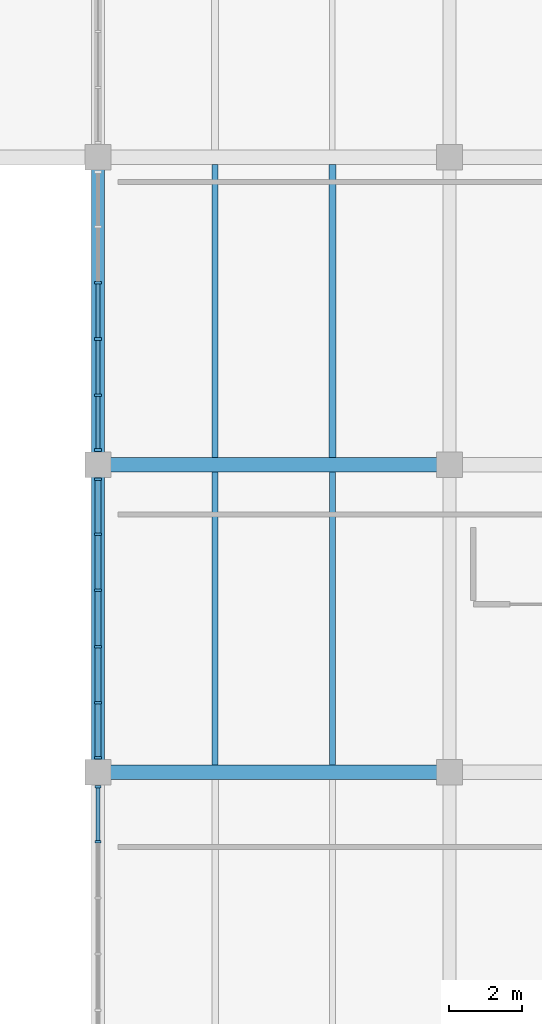
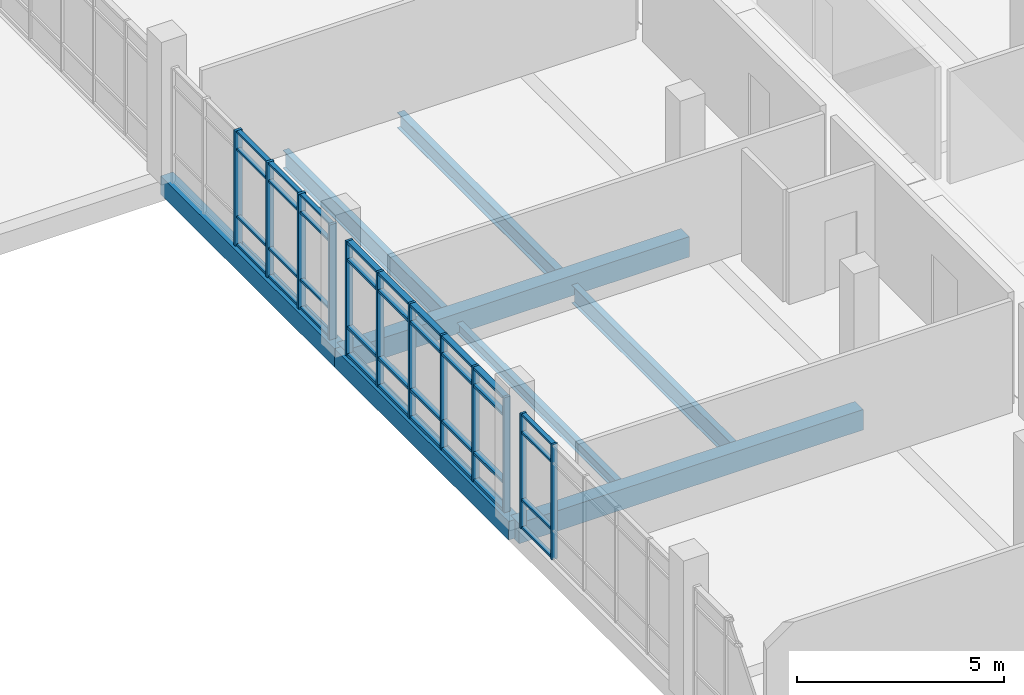
# One storey, part 15 of 57: 48 members, 8 beams, 3 elements without a shape of their own.
"""IFC4 building model written with IfcOpenShell, lengths in metres."""

from ifc_helpers import new_model, si_unit, direction, frame, origin, origin_2d, place, context, subcontext, project, spatial, rectangle, i_section, extrude, material, material_profile, profile_set, type_object, element, aggregate, save


model = new_model("IFC4")

# Units and contexts
model_context = context("Model", 3, precision=1e-05, world=origin(), true_north=direction((0.0, 1.0)))
body_context = subcontext(model_context, "Body", "Model", "MODEL_VIEW")
ifc_project = project(units=[si_unit("LENGTHUNIT", "METRE"), si_unit("AREAUNIT", "SQUARE_METRE"), si_unit("VOLUMEUNIT", "CUBIC_METRE"), si_unit("PLANEANGLEUNIT", "RADIAN"), si_unit("MASSUNIT", "GRAM", prefix="KILO")], contexts=[model_context])

# Site, building, storey
site_placement = place(None, origin())
site = spatial("IfcSite", under=ifc_project, at=site_placement, CompositionType="ELEMENT")
building_placement = place(site_placement, origin())
building = spatial("IfcBuilding", under=site, at=building_placement, Name="Oolite Switchyard Hospital", CompositionType="ELEMENT")
storey_placement = place(building_placement, frame((0.0, 0.0, 17.800048828125)))
storey = spatial("IfcBuildingStorey", under=building, at=storey_placement, Name="L04", CompositionType="ELEMENT", Elevation=17.800048828125)

# Beams
ifc_material_1 = material(Name="Concrete C40/50", Category="concrete")
ifc_material_profile_1 = material_profile(ifc_material_1, rectangle(XDim=0.35009765625, YDim=0.550048828125, at=origin_2d()), Name="RCB350X550")
ifc_profile_set_1 = profile_set([ifc_material_profile_1], Name="Concrete C40/50")
beam_type_1 = type_object("IfcBeamType", Name="BM-RC350X550", PredefinedType="BEAM", material=ifc_profile_set_1)
beam_1_placement = place(storey_placement, frame((182.39990234375, 42.0, -0.275146484375), z_axis=(0.0, 1.0, 0.0), x_axis=(-1.0, 0.0, 0.0)))
element("IfcBeam", 1, at=beam_1_placement, inside=storey, type_object=beam_type_1, Name="L04 Y-Girder 3043", PredefinedType="BEAM", context=body_context, shape_type="SweptSolid", body=[
    extrude(rectangle(XDim=0.35009765625, YDim=0.550048828125, at=origin_2d()), origin(), (0.0, 0.0, 1.0), 8.39990234375),
])
beam_2_placement = place(storey_placement, frame((182.39990234375, 50.39990234375, -0.275146484375), z_axis=(0.0, 1.0, 0.0), x_axis=(-1.0, 0.0, 0.0)))
element("IfcBeam", 2, at=beam_2_placement, inside=storey, type_object=beam_type_1, Name="L04 Y-Girder 3044", PredefinedType="BEAM", context=body_context, shape_type="SweptSolid", body=[
    extrude(rectangle(XDim=0.35009765625, YDim=0.550048828125, at=origin_2d()), origin(), (0.0, 0.0, 1.0), 8.400146484375),
])
ifc_material_profile_2 = material_profile(ifc_material_1, rectangle(XDim=0.39990234375, YDim=0.60009765625, at=origin_2d()), Name="RCB400X600")
ifc_profile_set_2 = profile_set([ifc_material_profile_2], Name="Concrete C40/50")
beam_type_2 = type_object("IfcBeamType", Name="BM-RC400X600", PredefinedType="BEAM", material=ifc_profile_set_2)
for number, where, z_axis, x_axis, name in (
    (3, (182.39990234375, 42.0, -0.300048828125), (1.0, 0.0, 0.0), (0.0, 1.0, 0.0), "L04 X-Girder 2789"),
    (4, (182.39990234375, 50.39990234375, -0.300048828125), (1.0, 0.0, 0.0), (0.0, 1.0, 0.0), "L04 X-Girder 2796"),
):
    element("IfcBeam", number, at=place(storey_placement, frame(where, z_axis=z_axis, x_axis=x_axis)), inside=storey, type_object=beam_type_2, Name=name, PredefinedType="BEAM", context=body_context, shape_type="SweptSolid", body=[
        extrude(rectangle(XDim=0.39990234375, YDim=0.60009765625, at=origin_2d()), origin(), (0.0, 0.0, 1.0), 9.60009765625),
    ])
ifc_material_2 = material(Name="Steel ASTM A992 Grade 50", Category="steel")
ifc_material_profile_3 = material_profile(ifc_material_2, i_section(OverallWidth=0.1650390625, OverallDepth=0.31005859375, WebThickness=0.006103515625, FlangeThickness=0.010009765625, at=origin_2d()), Name="W12X26")
ifc_profile_set_3 = profile_set([ifc_material_profile_3], Name="Steel ASTM A992 Grade 50")
beam_type_3 = type_object("IfcBeamType", Name="BM-W12X26", PredefinedType="JOIST", material=ifc_profile_set_3)
beam_3_placement = place(storey_placement, frame((185.60009765625, 42.199951171875, -0.429931640625), z_axis=(0.0, 1.0, 0.0), x_axis=(-1.0, 0.0, 0.0)))
element("IfcBeam", 5, at=beam_3_placement, inside=storey, type_object=beam_type_3, Name="L04 Secondary Steel Joist 3277", PredefinedType="JOIST", context=body_context, shape_type="SweptSolid", body=[
    extrude(i_section(OverallWidth=0.1650390625, OverallDepth=0.31005859375, WebThickness=0.006103515625, FlangeThickness=0.010009765625, at=origin_2d()), origin(), (0.0, 0.0, 1.0), 8.0),
])
ifc_material_profile_4 = material_profile(ifc_material_2, i_section(OverallWidth=0.19091796875, OverallDepth=0.4599609375, WebThickness=0.010009765625, FlangeThickness=0.01611328125, at=origin_2d()), Name="W18X55")
ifc_profile_set_4 = profile_set([ifc_material_profile_4], Name="Steel ASTM A992 Grade 50")
beam_type_4 = type_object("IfcBeamType", Name="BM-W18X55", PredefinedType="JOIST", material=ifc_profile_set_4)
beam_4_placement = place(storey_placement, frame((188.800048828125, 50.60009765625, -0.505126953125), z_axis=(0.0, 1.0, 0.0), x_axis=(-1.0, 0.0, 0.0)))
element("IfcBeam", 6, at=beam_4_placement, inside=storey, type_object=beam_type_4, Name="L04 Secondary Steel Joist 3280", PredefinedType="JOIST", context=body_context, shape_type="SweptSolid", body=[
    extrude(i_section(OverallWidth=0.19091796875, OverallDepth=0.4599609375, WebThickness=0.010009765625, FlangeThickness=0.01611328125, at=origin_2d()), origin(), (0.0, 0.0, 1.0), 8.0),
])
ifc_material_profile_5 = material_profile(ifc_material_2, i_section(OverallWidth=0.166015625, OverallDepth=0.529052734375, WebThickness=0.010009765625, FlangeThickness=0.013916015625, at=origin_2d()), Name="W21X50")
ifc_profile_set_5 = profile_set([ifc_material_profile_5], Name="Steel ASTM A992 Grade 50")
beam_type_5 = type_object("IfcBeamType", Name="BM-W21X50", PredefinedType="JOIST", material=ifc_profile_set_5)
for number, where, z_axis, x_axis, name in (
    (7, (188.800048828125, 42.199951171875, -0.5400390625), (0.0, 1.0, 0.0), (-1.0, 0.0, 0.0), "L04 Secondary Steel Joist 3278"),
    (8, (185.60009765625, 50.60009765625, -0.5400390625), (0.0, 1.0, 0.0), (-1.0, 0.0, 0.0), "L04 Secondary Steel Joist 3279"),
):
    element("IfcBeam", number, at=place(storey_placement, frame(where, z_axis=z_axis, x_axis=x_axis)), inside=storey, type_object=beam_type_5, Name=name, PredefinedType="JOIST", context=body_context, shape_type="SweptSolid", body=[
        extrude(i_section(OverallWidth=0.166015625, OverallDepth=0.529052734375, WebThickness=0.010009765625, FlangeThickness=0.013916015625, at=origin_2d()), origin(), (0.0, 0.0, 1.0), 8.0),
    ])

# Curtain wall, members
ifc_material_3 = material(Name="Thermally broken aluminum frame with laminated impact glazing", Category="aluminium")
curtain_wall_type = type_object("IfcCurtainWallType", Name="CW-UNIT-84X42", PredefinedType="USERDEFINED", material=ifc_material_3)
curtain_wall_1_placement = place(storey_placement, origin())
curtain_wall_1 = element("IfcCurtainWall", 9, at=curtain_wall_1_placement, inside=storey, type_object=curtain_wall_type, Name="L04 Unitised Curtain Wall 374", ObjectType="UNITISED", PredefinedType="USERDEFINED")
ifc_material_4 = material(Name="Aluminium 6063-T6", Category="aluminium")
ifc_material_profile_6 = material_profile(ifc_material_4, rectangle(XDim=0.159912109375, YDim=0.06005859375, at=origin_2d()), Name="CWM60X160")
ifc_profile_set_6 = profile_set([ifc_material_profile_6], Name="Aluminium 6063-T6")
member_type_1 = type_object("IfcMemberType", Name="CW-MUL-180", PredefinedType="MULLION", material=ifc_profile_set_6)
member_1_placement = place(storey_placement, frame((182.39990234375, 40.10107421875, 0.0), z_axis=(0.0, 0.0, 1.0), x_axis=(-1.0, 0.0, 0.0)))
member_1 = element("IfcMember", 10, at=member_1_placement, type_object=member_type_1, Name="CW-10 mullion 5", PredefinedType="MULLION", context=body_context, shape_type="SweptSolid", body=[
    extrude(rectangle(XDim=0.159912109375, YDim=0.06005859375, at=origin_2d()), origin(), (0.0, 0.0, 1.0), 3.389892578125),
])
member_2_placement = place(storey_placement, frame((182.39990234375, 41.60498046875, 0.0), z_axis=(0.0, 0.0, 1.0), x_axis=(-1.0, 0.0, 0.0)))
member_2 = element("IfcMember", 11, at=member_2_placement, type_object=member_type_1, Name="CW-10 mullion 6", PredefinedType="MULLION", context=body_context, shape_type="SweptSolid", body=[
    extrude(rectangle(XDim=0.159912109375, YDim=0.06005859375, at=origin_2d()), origin(), (0.0, 0.0, 1.0), 3.389892578125),
])

curtain_wall_2_placement = place(storey_placement, origin())
curtain_wall_2 = element("IfcCurtainWall", 12, at=curtain_wall_2_placement, inside=storey, type_object=curtain_wall_type, Name="L04 Unitised Curtain Wall 375", ObjectType="UNITISED", PredefinedType="USERDEFINED")
ifc_material_profile_7 = material_profile(ifc_material_4, rectangle(XDim=0.179931640625, YDim=0.070068359375, at=origin_2d()), Name="CWM70X180")
ifc_profile_set_7 = profile_set([ifc_material_profile_7], Name="Aluminium 6063-T6")
member_type_2 = type_object("IfcMemberType", Name="CW-MUL-220", PredefinedType="MULLION", material=ifc_profile_set_7)
member_3_placement = place(storey_placement, frame((182.39990234375, 42.39990234375, 0.0), z_axis=(0.0, 0.0, 1.0), x_axis=(-1.0, 0.0, 0.0)))
member_3 = element("IfcMember", 13, at=member_3_placement, type_object=member_type_2, Name="CW-10 mullion 1", PredefinedType="MULLION", context=body_context, shape_type="SweptSolid", body=[
    extrude(rectangle(XDim=0.179931640625, YDim=0.070068359375, at=origin_2d()), origin(), (0.0, 0.0, 1.0), 3.389892578125),
])
member_4_placement = place(storey_placement, frame((182.39990234375, 43.89892578125, 0.0), z_axis=(0.0, 0.0, 1.0), x_axis=(-1.0, 0.0, 0.0)))
member_4 = element("IfcMember", 14, at=member_4_placement, type_object=member_type_2, Name="CW-10 mullion 2", PredefinedType="MULLION", context=body_context, shape_type="SweptSolid", body=[
    extrude(rectangle(XDim=0.179931640625, YDim=0.070068359375, at=origin_2d()), origin(), (0.0, 0.0, 1.0), 3.389892578125),
])
member_5_placement = place(storey_placement, frame((182.39990234375, 45.43310546875, 0.0), z_axis=(0.0, 0.0, 1.0), x_axis=(-1.0, 0.0, 0.0)))
member_5 = element("IfcMember", 15, at=member_5_placement, type_object=member_type_2, Name="CW-10 mullion 3", PredefinedType="MULLION", context=body_context, shape_type="SweptSolid", body=[
    extrude(rectangle(XDim=0.179931640625, YDim=0.070068359375, at=origin_2d()), origin(), (0.0, 0.0, 1.0), 3.389892578125),
])
member_6_placement = place(storey_placement, frame((182.39990234375, 46.967041015625, 0.0), z_axis=(0.0, 0.0, 1.0), x_axis=(-1.0, 0.0, 0.0)))
member_6 = element("IfcMember", 16, at=member_6_placement, type_object=member_type_2, Name="CW-10 mullion 4", PredefinedType="MULLION", context=body_context, shape_type="SweptSolid", body=[
    extrude(rectangle(XDim=0.179931640625, YDim=0.070068359375, at=origin_2d()), origin(), (0.0, 0.0, 1.0), 3.389892578125),
])
member_7_placement = place(storey_placement, frame((182.39990234375, 48.5009765625, 0.0), z_axis=(0.0, 0.0, 1.0), x_axis=(-1.0, 0.0, 0.0)))
member_7 = element("IfcMember", 17, at=member_7_placement, type_object=member_type_2, Name="CW-10 mullion 5", PredefinedType="MULLION", context=body_context, shape_type="SweptSolid", body=[
    extrude(rectangle(XDim=0.179931640625, YDim=0.070068359375, at=origin_2d()), origin(), (0.0, 0.0, 1.0), 3.389892578125),
])
member_8_placement = place(storey_placement, frame((182.39990234375, 50.0, 0.0), z_axis=(0.0, 0.0, 1.0), x_axis=(-1.0, 0.0, 0.0)))
member_8 = element("IfcMember", 18, at=member_8_placement, type_object=member_type_2, Name="CW-10 mullion 6", PredefinedType="MULLION", context=body_context, shape_type="SweptSolid", body=[
    extrude(rectangle(XDim=0.179931640625, YDim=0.070068359375, at=origin_2d()), origin(), (0.0, 0.0, 1.0), 3.389892578125),
])

curtain_wall_3_placement = place(storey_placement, origin())
curtain_wall_3 = element("IfcCurtainWall", 19, at=curtain_wall_3_placement, inside=storey, type_object=curtain_wall_type, Name="L04 Unitised Curtain Wall 376", ObjectType="UNITISED", PredefinedType="USERDEFINED")
ifc_material_profile_8 = material_profile(ifc_material_4, rectangle(XDim=0.199951171875, YDim=0.074951171875, at=origin_2d()), Name="CWM75X200")
ifc_profile_set_8 = profile_set([ifc_material_profile_8], Name="Aluminium 6063-T6")
member_type_3 = type_object("IfcMemberType", Name="CW-MUL-260", PredefinedType="MULLION", material=ifc_profile_set_8)
member_9_placement = place(storey_placement, frame((182.39990234375, 50.802490234375, 0.0), z_axis=(0.0, 0.0, 1.0), x_axis=(-1.0, 0.0, 0.0)))
member_9 = element("IfcMember", 20, at=member_9_placement, type_object=member_type_3, Name="CW-10 mullion 1", PredefinedType="MULLION", context=body_context, shape_type="SweptSolid", body=[
    extrude(rectangle(XDim=0.199951171875, YDim=0.074951171875, at=origin_2d()), origin(), (0.0, 0.0, 1.0), 3.389892578125),
])
member_10_placement = place(storey_placement, frame((182.39990234375, 52.299072265625, 0.0), z_axis=(0.0, 0.0, 1.0), x_axis=(-1.0, 0.0, 0.0)))
member_10 = element("IfcMember", 21, at=member_10_placement, type_object=member_type_3, Name="CW-10 mullion 2", PredefinedType="MULLION", context=body_context, shape_type="SweptSolid", body=[
    extrude(rectangle(XDim=0.199951171875, YDim=0.074951171875, at=origin_2d()), origin(), (0.0, 0.0, 1.0), 3.389892578125),
])
member_11_placement = place(storey_placement, frame((182.39990234375, 53.8330078125, 0.0), z_axis=(0.0, 0.0, 1.0), x_axis=(-1.0, 0.0, 0.0)))
member_11 = element("IfcMember", 22, at=member_11_placement, type_object=member_type_3, Name="CW-10 mullion 3", PredefinedType="MULLION", context=body_context, shape_type="SweptSolid", body=[
    extrude(rectangle(XDim=0.199951171875, YDim=0.074951171875, at=origin_2d()), origin(), (0.0, 0.0, 1.0), 3.389892578125),
])
member_12_placement = place(storey_placement, frame((182.39990234375, 55.366943359375, 0.0), z_axis=(0.0, 0.0, 1.0), x_axis=(-1.0, 0.0, 0.0)))
member_12 = element("IfcMember", 23, at=member_12_placement, type_object=member_type_3, Name="CW-10 mullion 4", PredefinedType="MULLION", context=body_context, shape_type="SweptSolid", body=[
    extrude(rectangle(XDim=0.199951171875, YDim=0.074951171875, at=origin_2d()), origin(), (0.0, 0.0, 1.0), 3.389892578125),
])

# Member
ifc_material_profile_9 = material_profile(ifc_material_4, rectangle(XDim=0.1201171875, YDim=0.06005859375, at=origin_2d()), Name="CWT60X120")
ifc_profile_set_9 = profile_set([ifc_material_profile_9], Name="Aluminium 6063-T6")
member_type_4 = type_object("IfcMemberType", Name="CW-TRN-150", PredefinedType="USERDEFINED", material=ifc_profile_set_9)
member_13_placement = place(storey_placement, frame((182.39990234375, 40.131103515625, 0.030029296875), z_axis=(0.0, 1.0, 0.0), x_axis=(-1.0, 0.0, 0.0)))
member_13 = element("IfcMember", 24, at=member_13_placement, type_object=member_type_4, Name="CW-10 transom 5.1", ObjectType="TRANSOM", PredefinedType="USERDEFINED", context=body_context, shape_type="SweptSolid", body=[
    extrude(rectangle(XDim=0.1201171875, YDim=0.06005859375, at=origin_2d()), origin(), (0.0, 0.0, 1.0), 1.44384765625),
])

member_14_placement = place(storey_placement, frame((182.39990234375, 40.131103515625, 0.849853515625), z_axis=(0.0, 1.0, 0.0), x_axis=(-1.0, 0.0, 0.0)))
member_14 = element("IfcMember", 25, at=member_14_placement, type_object=member_type_4, Name="CW-10 transom 5.2", ObjectType="TRANSOM", PredefinedType="USERDEFINED", context=body_context, shape_type="SweptSolid", body=[
    extrude(rectangle(XDim=0.1201171875, YDim=0.06005859375, at=origin_2d()), origin(), (0.0, 0.0, 1.0), 1.44384765625),
])

member_15_placement = place(storey_placement, frame((182.39990234375, 40.131103515625, 2.83984375), z_axis=(0.0, 1.0, 0.0), x_axis=(-1.0, 0.0, 0.0)))
member_15 = element("IfcMember", 26, at=member_15_placement, type_object=member_type_4, Name="CW-10 transom 5.3", ObjectType="TRANSOM", PredefinedType="USERDEFINED", context=body_context, shape_type="SweptSolid", body=[
    extrude(rectangle(XDim=0.1201171875, YDim=0.06005859375, at=origin_2d()), origin(), (0.0, 0.0, 1.0), 1.44384765625),
])

member_16_placement = place(storey_placement, frame((182.39990234375, 40.131103515625, 3.35986328125), z_axis=(0.0, 1.0, 0.0), x_axis=(-1.0, 0.0, 0.0)))
member_16 = element("IfcMember", 27, at=member_16_placement, type_object=member_type_4, Name="CW-10 transom 5.4", ObjectType="TRANSOM", PredefinedType="USERDEFINED", context=body_context, shape_type="SweptSolid", body=[
    extrude(rectangle(XDim=0.1201171875, YDim=0.06005859375, at=origin_2d()), origin(), (0.0, 0.0, 1.0), 1.44384765625),
])

aggregate(curtain_wall_1, [member_1, member_2, member_13, member_14, member_15, member_16])

member_17_placement = place(storey_placement, frame((182.39990234375, 50.840087890625, 0.030029296875), z_axis=(0.0, 1.0, 0.0), x_axis=(-1.0, 0.0, 0.0)))
member_17 = element("IfcMember", 28, at=member_17_placement, type_object=member_type_4, Name="CW-10 transom 1.1", ObjectType="TRANSOM", PredefinedType="USERDEFINED", context=body_context, shape_type="SweptSolid", body=[
    extrude(rectangle(XDim=0.1201171875, YDim=0.06005859375, at=origin_2d()), origin(), (0.0, 0.0, 1.0), 1.42138671875),
])

member_18_placement = place(storey_placement, frame((182.39990234375, 50.840087890625, 0.849853515625), z_axis=(0.0, 1.0, 0.0), x_axis=(-1.0, 0.0, 0.0)))
member_18 = element("IfcMember", 29, at=member_18_placement, type_object=member_type_4, Name="CW-10 transom 1.2", ObjectType="TRANSOM", PredefinedType="USERDEFINED", context=body_context, shape_type="SweptSolid", body=[
    extrude(rectangle(XDim=0.1201171875, YDim=0.06005859375, at=origin_2d()), origin(), (0.0, 0.0, 1.0), 1.42138671875),
])

member_19_placement = place(storey_placement, frame((182.39990234375, 50.840087890625, 2.83984375), z_axis=(0.0, 1.0, 0.0), x_axis=(-1.0, 0.0, 0.0)))
member_19 = element("IfcMember", 30, at=member_19_placement, type_object=member_type_4, Name="CW-10 transom 1.3", ObjectType="TRANSOM", PredefinedType="USERDEFINED", context=body_context, shape_type="SweptSolid", body=[
    extrude(rectangle(XDim=0.1201171875, YDim=0.06005859375, at=origin_2d()), origin(), (0.0, 0.0, 1.0), 1.42138671875),
])

member_20_placement = place(storey_placement, frame((182.39990234375, 50.840087890625, 3.35986328125), z_axis=(0.0, 1.0, 0.0), x_axis=(-1.0, 0.0, 0.0)))
member_20 = element("IfcMember", 31, at=member_20_placement, type_object=member_type_4, Name="CW-10 transom 1.4", ObjectType="TRANSOM", PredefinedType="USERDEFINED", context=body_context, shape_type="SweptSolid", body=[
    extrude(rectangle(XDim=0.1201171875, YDim=0.06005859375, at=origin_2d()), origin(), (0.0, 0.0, 1.0), 1.42138671875),
])

member_21_placement = place(storey_placement, frame((182.39990234375, 52.33642578125, 0.030029296875), z_axis=(0.0, 1.0, 0.0), x_axis=(-1.0, 0.0, 0.0)))
member_21 = element("IfcMember", 32, at=member_21_placement, type_object=member_type_4, Name="CW-10 transom 2.1", ObjectType="TRANSOM", PredefinedType="USERDEFINED", context=body_context, shape_type="SweptSolid", body=[
    extrude(rectangle(XDim=0.1201171875, YDim=0.06005859375, at=origin_2d()), origin(), (0.0, 0.0, 1.0), 1.458984375),
])

member_22_placement = place(storey_placement, frame((182.39990234375, 52.33642578125, 0.849853515625), z_axis=(0.0, 1.0, 0.0), x_axis=(-1.0, 0.0, 0.0)))
member_22 = element("IfcMember", 33, at=member_22_placement, type_object=member_type_4, Name="CW-10 transom 2.2", ObjectType="TRANSOM", PredefinedType="USERDEFINED", context=body_context, shape_type="SweptSolid", body=[
    extrude(rectangle(XDim=0.1201171875, YDim=0.06005859375, at=origin_2d()), origin(), (0.0, 0.0, 1.0), 1.458984375),
])

member_23_placement = place(storey_placement, frame((182.39990234375, 52.33642578125, 2.83984375), z_axis=(0.0, 1.0, 0.0), x_axis=(-1.0, 0.0, 0.0)))
member_23 = element("IfcMember", 34, at=member_23_placement, type_object=member_type_4, Name="CW-10 transom 2.3", ObjectType="TRANSOM", PredefinedType="USERDEFINED", context=body_context, shape_type="SweptSolid", body=[
    extrude(rectangle(XDim=0.1201171875, YDim=0.06005859375, at=origin_2d()), origin(), (0.0, 0.0, 1.0), 1.458984375),
])

member_24_placement = place(storey_placement, frame((182.39990234375, 52.33642578125, 3.35986328125), z_axis=(0.0, 1.0, 0.0), x_axis=(-1.0, 0.0, 0.0)))
member_24 = element("IfcMember", 35, at=member_24_placement, type_object=member_type_4, Name="CW-10 transom 2.4", ObjectType="TRANSOM", PredefinedType="USERDEFINED", context=body_context, shape_type="SweptSolid", body=[
    extrude(rectangle(XDim=0.1201171875, YDim=0.06005859375, at=origin_2d()), origin(), (0.0, 0.0, 1.0), 1.458984375),
])

member_25_placement = place(storey_placement, frame((182.39990234375, 53.87060546875, 0.030029296875), z_axis=(0.0, 1.0, 0.0), x_axis=(-1.0, 0.0, 0.0)))
member_25 = element("IfcMember", 36, at=member_25_placement, type_object=member_type_4, Name="CW-10 transom 3.1", ObjectType="TRANSOM", PredefinedType="USERDEFINED", context=body_context, shape_type="SweptSolid", body=[
    extrude(rectangle(XDim=0.1201171875, YDim=0.06005859375, at=origin_2d()), origin(), (0.0, 0.0, 1.0), 1.458984375),
])

member_26_placement = place(storey_placement, frame((182.39990234375, 53.87060546875, 0.849853515625), z_axis=(0.0, 1.0, 0.0), x_axis=(-1.0, 0.0, 0.0)))
member_26 = element("IfcMember", 37, at=member_26_placement, type_object=member_type_4, Name="CW-10 transom 3.2", ObjectType="TRANSOM", PredefinedType="USERDEFINED", context=body_context, shape_type="SweptSolid", body=[
    extrude(rectangle(XDim=0.1201171875, YDim=0.06005859375, at=origin_2d()), origin(), (0.0, 0.0, 1.0), 1.458984375),
])

member_27_placement = place(storey_placement, frame((182.39990234375, 53.87060546875, 2.83984375), z_axis=(0.0, 1.0, 0.0), x_axis=(-1.0, 0.0, 0.0)))
member_27 = element("IfcMember", 38, at=member_27_placement, type_object=member_type_4, Name="CW-10 transom 3.3", ObjectType="TRANSOM", PredefinedType="USERDEFINED", context=body_context, shape_type="SweptSolid", body=[
    extrude(rectangle(XDim=0.1201171875, YDim=0.06005859375, at=origin_2d()), origin(), (0.0, 0.0, 1.0), 1.458984375),
])

member_28_placement = place(storey_placement, frame((182.39990234375, 53.87060546875, 3.35986328125), z_axis=(0.0, 1.0, 0.0), x_axis=(-1.0, 0.0, 0.0)))
member_28 = element("IfcMember", 39, at=member_28_placement, type_object=member_type_4, Name="CW-10 transom 3.4", ObjectType="TRANSOM", PredefinedType="USERDEFINED", context=body_context, shape_type="SweptSolid", body=[
    extrude(rectangle(XDim=0.1201171875, YDim=0.06005859375, at=origin_2d()), origin(), (0.0, 0.0, 1.0), 1.458984375),
])

aggregate(curtain_wall_3, [member_9, member_10, member_11, member_12, member_17, member_18, member_19, member_20, member_21, member_22, member_23, member_24, member_25, member_26, member_27, member_28])

ifc_material_profile_10 = material_profile(ifc_material_4, rectangle(XDim=0.159912109375, YDim=0.074951171875, at=origin_2d()), Name="CWT75X160")
ifc_profile_set_10 = profile_set([ifc_material_profile_10], Name="Aluminium 6063-T6")
member_type_5 = type_object("IfcMemberType", Name="CW-TRN-180", PredefinedType="USERDEFINED", material=ifc_profile_set_10)
member_29_placement = place(storey_placement, frame((182.39990234375, 42.43505859375, 0.037353515625), z_axis=(0.0, 1.0, 0.0), x_axis=(-1.0, 0.0, 0.0)))
member_29 = element("IfcMember", 40, at=member_29_placement, type_object=member_type_5, Name="CW-10 transom 1.1", ObjectType="TRANSOM", PredefinedType="USERDEFINED", context=body_context, shape_type="SweptSolid", body=[
    extrude(rectangle(XDim=0.159912109375, YDim=0.074951171875, at=origin_2d()), origin(), (0.0, 0.0, 1.0), 1.428955078125),
])

member_30_placement = place(storey_placement, frame((182.39990234375, 42.43505859375, 0.849853515625), z_axis=(0.0, 1.0, 0.0), x_axis=(-1.0, 0.0, 0.0)))
member_30 = element("IfcMember", 41, at=member_30_placement, type_object=member_type_5, Name="CW-10 transom 1.2", ObjectType="TRANSOM", PredefinedType="USERDEFINED", context=body_context, shape_type="SweptSolid", body=[
    extrude(rectangle(XDim=0.159912109375, YDim=0.074951171875, at=origin_2d()), origin(), (0.0, 0.0, 1.0), 1.428955078125),
])

member_31_placement = place(storey_placement, frame((182.39990234375, 42.43505859375, 2.83984375), z_axis=(0.0, 1.0, 0.0), x_axis=(-1.0, 0.0, 0.0)))
member_31 = element("IfcMember", 42, at=member_31_placement, type_object=member_type_5, Name="CW-10 transom 1.3", ObjectType="TRANSOM", PredefinedType="USERDEFINED", context=body_context, shape_type="SweptSolid", body=[
    extrude(rectangle(XDim=0.159912109375, YDim=0.074951171875, at=origin_2d()), origin(), (0.0, 0.0, 1.0), 1.428955078125),
])

member_32_placement = place(storey_placement, frame((182.39990234375, 42.43505859375, 3.3525390625), z_axis=(0.0, 1.0, 0.0), x_axis=(-1.0, 0.0, 0.0)))
member_32 = element("IfcMember", 43, at=member_32_placement, type_object=member_type_5, Name="CW-10 transom 1.4", ObjectType="TRANSOM", PredefinedType="USERDEFINED", context=body_context, shape_type="SweptSolid", body=[
    extrude(rectangle(XDim=0.159912109375, YDim=0.074951171875, at=origin_2d()), origin(), (0.0, 0.0, 1.0), 1.428955078125),
])

member_33_placement = place(storey_placement, frame((182.39990234375, 43.93408203125, 0.037353515625), z_axis=(0.0, 1.0, 0.0), x_axis=(-1.0, 0.0, 0.0)))
member_33 = element("IfcMember", 44, at=member_33_placement, type_object=member_type_5, Name="CW-10 transom 2.1", ObjectType="TRANSOM", PredefinedType="USERDEFINED", context=body_context, shape_type="SweptSolid", body=[
    extrude(rectangle(XDim=0.159912109375, YDim=0.074951171875, at=origin_2d()), origin(), (0.0, 0.0, 1.0), 1.4638671875),
])

member_34_placement = place(storey_placement, frame((182.39990234375, 43.93408203125, 0.849853515625), z_axis=(0.0, 1.0, 0.0), x_axis=(-1.0, 0.0, 0.0)))
member_34 = element("IfcMember", 45, at=member_34_placement, type_object=member_type_5, Name="CW-10 transom 2.2", ObjectType="TRANSOM", PredefinedType="USERDEFINED", context=body_context, shape_type="SweptSolid", body=[
    extrude(rectangle(XDim=0.159912109375, YDim=0.074951171875, at=origin_2d()), origin(), (0.0, 0.0, 1.0), 1.4638671875),
])

member_35_placement = place(storey_placement, frame((182.39990234375, 43.93408203125, 2.83984375), z_axis=(0.0, 1.0, 0.0), x_axis=(-1.0, 0.0, 0.0)))
member_35 = element("IfcMember", 46, at=member_35_placement, type_object=member_type_5, Name="CW-10 transom 2.3", ObjectType="TRANSOM", PredefinedType="USERDEFINED", context=body_context, shape_type="SweptSolid", body=[
    extrude(rectangle(XDim=0.159912109375, YDim=0.074951171875, at=origin_2d()), origin(), (0.0, 0.0, 1.0), 1.4638671875),
])

member_36_placement = place(storey_placement, frame((182.39990234375, 43.93408203125, 3.3525390625), z_axis=(0.0, 1.0, 0.0), x_axis=(-1.0, 0.0, 0.0)))
member_36 = element("IfcMember", 47, at=member_36_placement, type_object=member_type_5, Name="CW-10 transom 2.4", ObjectType="TRANSOM", PredefinedType="USERDEFINED", context=body_context, shape_type="SweptSolid", body=[
    extrude(rectangle(XDim=0.159912109375, YDim=0.074951171875, at=origin_2d()), origin(), (0.0, 0.0, 1.0), 1.4638671875),
])

member_37_placement = place(storey_placement, frame((182.39990234375, 45.468017578125, 0.037353515625), z_axis=(0.0, 1.0, 0.0), x_axis=(-1.0, 0.0, 0.0)))
member_37 = element("IfcMember", 48, at=member_37_placement, type_object=member_type_5, Name="CW-10 transom 3.1", ObjectType="TRANSOM", PredefinedType="USERDEFINED", context=body_context, shape_type="SweptSolid", body=[
    extrude(rectangle(XDim=0.159912109375, YDim=0.074951171875, at=origin_2d()), origin(), (0.0, 0.0, 1.0), 1.4638671875),
])

member_38_placement = place(storey_placement, frame((182.39990234375, 45.468017578125, 0.849853515625), z_axis=(0.0, 1.0, 0.0), x_axis=(-1.0, 0.0, 0.0)))
member_38 = element("IfcMember", 49, at=member_38_placement, type_object=member_type_5, Name="CW-10 transom 3.2", ObjectType="TRANSOM", PredefinedType="USERDEFINED", context=body_context, shape_type="SweptSolid", body=[
    extrude(rectangle(XDim=0.159912109375, YDim=0.074951171875, at=origin_2d()), origin(), (0.0, 0.0, 1.0), 1.4638671875),
])

member_39_placement = place(storey_placement, frame((182.39990234375, 45.468017578125, 2.83984375), z_axis=(0.0, 1.0, 0.0), x_axis=(-1.0, 0.0, 0.0)))
member_39 = element("IfcMember", 50, at=member_39_placement, type_object=member_type_5, Name="CW-10 transom 3.3", ObjectType="TRANSOM", PredefinedType="USERDEFINED", context=body_context, shape_type="SweptSolid", body=[
    extrude(rectangle(XDim=0.159912109375, YDim=0.074951171875, at=origin_2d()), origin(), (0.0, 0.0, 1.0), 1.4638671875),
])

member_40_placement = place(storey_placement, frame((182.39990234375, 45.468017578125, 3.3525390625), z_axis=(0.0, 1.0, 0.0), x_axis=(-1.0, 0.0, 0.0)))
member_40 = element("IfcMember", 51, at=member_40_placement, type_object=member_type_5, Name="CW-10 transom 3.4", ObjectType="TRANSOM", PredefinedType="USERDEFINED", context=body_context, shape_type="SweptSolid", body=[
    extrude(rectangle(XDim=0.159912109375, YDim=0.074951171875, at=origin_2d()), origin(), (0.0, 0.0, 1.0), 1.4638671875),
])

member_41_placement = place(storey_placement, frame((182.39990234375, 47.001953125, 0.037353515625), z_axis=(0.0, 1.0, 0.0), x_axis=(-1.0, 0.0, 0.0)))
member_41 = element("IfcMember", 52, at=member_41_placement, type_object=member_type_5, Name="CW-10 transom 4.1", ObjectType="TRANSOM", PredefinedType="USERDEFINED", context=body_context, shape_type="SweptSolid", body=[
    extrude(rectangle(XDim=0.159912109375, YDim=0.074951171875, at=origin_2d()), origin(), (0.0, 0.0, 1.0), 1.464111328125),
])

member_42_placement = place(storey_placement, frame((182.39990234375, 47.001953125, 0.849853515625), z_axis=(0.0, 1.0, 0.0), x_axis=(-1.0, 0.0, 0.0)))
member_42 = element("IfcMember", 53, at=member_42_placement, type_object=member_type_5, Name="CW-10 transom 4.2", ObjectType="TRANSOM", PredefinedType="USERDEFINED", context=body_context, shape_type="SweptSolid", body=[
    extrude(rectangle(XDim=0.159912109375, YDim=0.074951171875, at=origin_2d()), origin(), (0.0, 0.0, 1.0), 1.464111328125),
])

member_43_placement = place(storey_placement, frame((182.39990234375, 47.001953125, 2.83984375), z_axis=(0.0, 1.0, 0.0), x_axis=(-1.0, 0.0, 0.0)))
member_43 = element("IfcMember", 54, at=member_43_placement, type_object=member_type_5, Name="CW-10 transom 4.3", ObjectType="TRANSOM", PredefinedType="USERDEFINED", context=body_context, shape_type="SweptSolid", body=[
    extrude(rectangle(XDim=0.159912109375, YDim=0.074951171875, at=origin_2d()), origin(), (0.0, 0.0, 1.0), 1.464111328125),
])

member_44_placement = place(storey_placement, frame((182.39990234375, 47.001953125, 3.3525390625), z_axis=(0.0, 1.0, 0.0), x_axis=(-1.0, 0.0, 0.0)))
member_44 = element("IfcMember", 55, at=member_44_placement, type_object=member_type_5, Name="CW-10 transom 4.4", ObjectType="TRANSOM", PredefinedType="USERDEFINED", context=body_context, shape_type="SweptSolid", body=[
    extrude(rectangle(XDim=0.159912109375, YDim=0.074951171875, at=origin_2d()), origin(), (0.0, 0.0, 1.0), 1.464111328125),
])

member_45_placement = place(storey_placement, frame((182.39990234375, 48.535888671875, 0.037353515625), z_axis=(0.0, 1.0, 0.0), x_axis=(-1.0, 0.0, 0.0)))
member_45 = element("IfcMember", 56, at=member_45_placement, type_object=member_type_5, Name="CW-10 transom 5.1", ObjectType="TRANSOM", PredefinedType="USERDEFINED", context=body_context, shape_type="SweptSolid", body=[
    extrude(rectangle(XDim=0.159912109375, YDim=0.074951171875, at=origin_2d()), origin(), (0.0, 0.0, 1.0), 1.42919921875),
])

member_46_placement = place(storey_placement, frame((182.39990234375, 48.535888671875, 0.849853515625), z_axis=(0.0, 1.0, 0.0), x_axis=(-1.0, 0.0, 0.0)))
member_46 = element("IfcMember", 57, at=member_46_placement, type_object=member_type_5, Name="CW-10 transom 5.2", ObjectType="TRANSOM", PredefinedType="USERDEFINED", context=body_context, shape_type="SweptSolid", body=[
    extrude(rectangle(XDim=0.159912109375, YDim=0.074951171875, at=origin_2d()), origin(), (0.0, 0.0, 1.0), 1.42919921875),
])

member_47_placement = place(storey_placement, frame((182.39990234375, 48.535888671875, 2.83984375), z_axis=(0.0, 1.0, 0.0), x_axis=(-1.0, 0.0, 0.0)))
member_47 = element("IfcMember", 58, at=member_47_placement, type_object=member_type_5, Name="CW-10 transom 5.3", ObjectType="TRANSOM", PredefinedType="USERDEFINED", context=body_context, shape_type="SweptSolid", body=[
    extrude(rectangle(XDim=0.159912109375, YDim=0.074951171875, at=origin_2d()), origin(), (0.0, 0.0, 1.0), 1.42919921875),
])

member_48_placement = place(storey_placement, frame((182.39990234375, 48.535888671875, 3.3525390625), z_axis=(0.0, 1.0, 0.0), x_axis=(-1.0, 0.0, 0.0)))
member_48 = element("IfcMember", 59, at=member_48_placement, type_object=member_type_5, Name="CW-10 transom 5.4", ObjectType="TRANSOM", PredefinedType="USERDEFINED", context=body_context, shape_type="SweptSolid", body=[
    extrude(rectangle(XDim=0.159912109375, YDim=0.074951171875, at=origin_2d()), origin(), (0.0, 0.0, 1.0), 1.42919921875),
])

aggregate(curtain_wall_2, [member_3, member_4, member_5, member_6, member_7, member_8, member_29, member_30, member_31, member_32, member_33, member_34, member_35, member_36, member_37, member_38, member_39, member_40, member_41, member_42, member_43, member_44, member_45, member_46, member_47, member_48])

save(model, "model.ifc")
